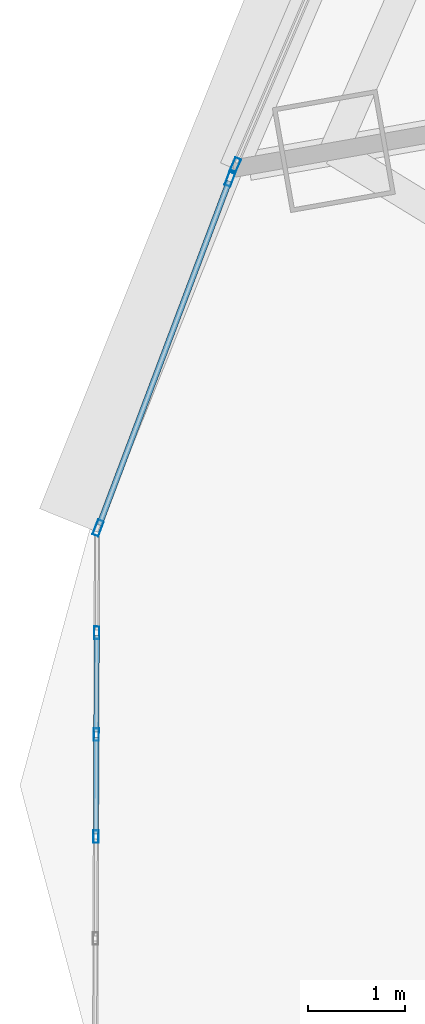
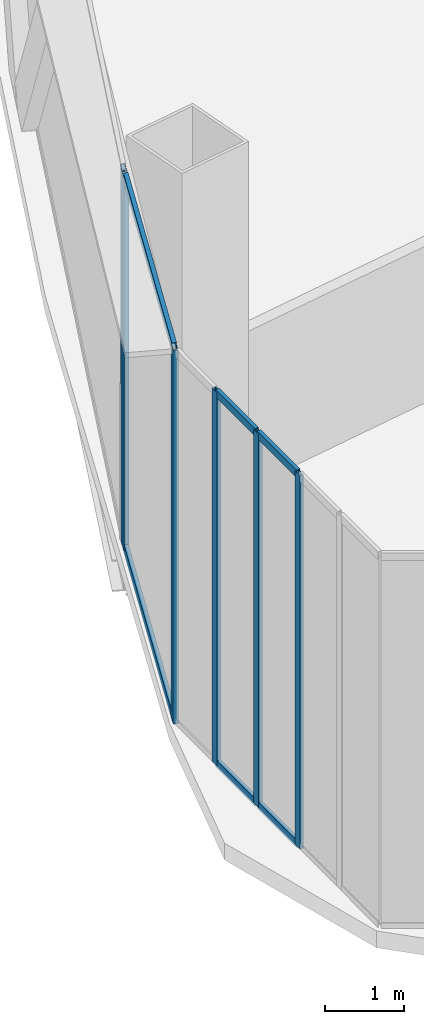
# One storey, part 4 of 41: 12 members, 3 elements without a shape of their own.
"""IFC4 building model written with IfcOpenShell, lengths in metres."""

from ifc_helpers import new_model, si_unit, direction, frame, origin, origin_2d, place, context, subcontext, project, spatial, hollow_rectangle, extrude, source, transform, mapped, material, layer, layer_set, material_profile, profile_set, type_object, element, aggregate, save


model = new_model("IFC4")

# Units and contexts
model_context = context("Model", 3, precision=1e-05, world=origin(), true_north=direction((0.0, 1.0)))
body_context = subcontext(model_context, "Body", "Model", "MODEL_VIEW")
ifc_project = project(units=[si_unit("LENGTHUNIT", "METRE"), si_unit("AREAUNIT", "SQUARE_METRE"), si_unit("VOLUMEUNIT", "CUBIC_METRE"), si_unit("PLANEANGLEUNIT", "RADIAN"), si_unit("MASSUNIT", "GRAM", prefix="KILO"), si_unit("THERMODYNAMICTEMPERATUREUNIT", "KELVIN"), si_unit("POWERUNIT", "WATT")], contexts=[model_context])

# Site, building, storey
site_placement = place(None, origin())
site = spatial("IfcSite", under=ifc_project, at=site_placement, CompositionType="ELEMENT")
building_placement = place(site_placement, origin())
building = spatial("IfcBuilding", under=site, at=building_placement, Name="Yunzhuo Pagoda Commons", CompositionType="ELEMENT")
storey_placement = place(building_placement, frame((0.0, 0.0, 70.330078125)))
storey = spatial("IfcBuildingStorey", under=building, at=storey_placement, Name="L18", CompositionType="ELEMENT", Elevation=70.330078125)

# Curtain wall, members
ifc_material = material(Name="Anodized aluminium 6063-T6", Category="aluminium")
ifc_layer_1 = layer(ifc_material, 0.1650390625)
ifc_layer_set_1 = layer_set([ifc_layer_1], Name="Anodized aluminium 6063-T6")
curtain_wall_type_1 = type_object("IfcCurtainWallType", Name="CW-LOW Low-Zone Ribbon Curtain Wall", PredefinedType="NOTDEFINED", material=ifc_layer_set_1)
curtain_wall_1_placement = place(storey_placement, origin())
curtain_wall_1 = element("IfcCurtainWall", 1, at=curtain_wall_1_placement, inside=storey, type_object=curtain_wall_type_1, Name="L18 curtain wall CW-L18-F3B5", PredefinedType="NOTDEFINED")
ifc_material_profile_1 = material_profile(ifc_material, hollow_rectangle(XDim=0.06005859375, YDim=0.139892578125, WallThickness=0.00341796875, at=origin_2d()), Name="Anodized aluminium 6063-T6")
ifc_profile_set_1 = profile_set([ifc_material_profile_1], Name="Anodized aluminium 6063-T6")
member_type_1 = type_object("IfcMemberType", Name="CW-LOW-T Transom RHS 140x60x3.5", PredefinedType="USERDEFINED", material=ifc_profile_set_1)
shared_shape_1 = source(origin(), body_context, "Body", "SweptSolid", [
    extrude(hollow_rectangle(XDim=0.06005859375, YDim=0.139892578125, WallThickness=0.00341796875, at=origin_2d()), origin(), (0.0, 0.0, 1.0), 3.80126953125),
])
member_1_placement = place(storey_placement, frame((6.869140625, 26.3251953125, 0.030029296875), z_axis=(-0.353360601845, -0.935487191288, 0.0), x_axis=(0.935487191288, -0.353360601845, 0.0)))
member_1 = element("IfcMember", 2, at=member_1_placement, type_object=member_type_1, Name="CW transom 1.1", ObjectType="TRANSOM", PredefinedType="USERDEFINED", context=body_context, shape_type="MappedRepresentation", body=[
    mapped(shared_shape_1, transform((0.0, 0.0, 0.0), scale=1.0)),
])
member_2_placement = place(storey_placement, frame((6.869140625, 26.3251953125, 5.739990234375), z_axis=(-0.353360601845, -0.935487191288, 0.0), x_axis=(0.935487191288, -0.353360601845, 0.0)))
member_2 = element("IfcMember", 3, at=member_2_placement, type_object=member_type_1, Name="CW transom 1.2", ObjectType="TRANSOM", PredefinedType="USERDEFINED", context=body_context, shape_type="MappedRepresentation", body=[
    mapped(shared_shape_1, transform((0.0, 0.0, 0.0), scale=1.0)),
])

ifc_layer_2 = layer(ifc_material, 0.1298828125)
ifc_layer_set_2 = layer_set([ifc_layer_2], Name="Anodized aluminium 6063-T6")
curtain_wall_type_2 = type_object("IfcCurtainWallType", Name="CW-VTX Rounded Corner Curtain Wall", PredefinedType="NOTDEFINED", material=ifc_layer_set_2)
curtain_wall_2_placement = place(storey_placement, origin())
curtain_wall_2 = element("IfcCurtainWall", 4, at=curtain_wall_2_placement, inside=storey, type_object=curtain_wall_type_2, Name="L18 curtain wall CW-L18-VTX1S1", PredefinedType="NOTDEFINED")
ifc_material_profile_2 = material_profile(ifc_material, hollow_rectangle(XDim=0.054931640625, YDim=0.1201171875, WallThickness=0.00341796875, at=origin_2d()), Name="Anodized aluminium 6063-T6")
ifc_profile_set_2 = profile_set([ifc_material_profile_2], Name="Anodized aluminium 6063-T6")
member_type_2 = type_object("IfcMemberType", Name="CW-VTX-T Transom RHS 120x55x3.5", PredefinedType="USERDEFINED", material=ifc_profile_set_2)
shared_shape_2 = source(origin(), body_context, "Body", "SweptSolid", [
    extrude(hollow_rectangle(XDim=0.054931640625, YDim=0.1201171875, WallThickness=0.00341796875, at=origin_2d()), origin(), (0.0, 0.0, 1.0), 0.999267578125),
])
member_3_placement = place(storey_placement, frame((5.4990234375, 21.62646484375, 0.02734375), z_axis=(-0.00366476894, -0.999993284712, 0.0), x_axis=(0.999993284712, -0.00366476894, 0.0)))
member_3 = element("IfcMember", 5, at=member_3_placement, type_object=member_type_2, Name="CW transom 2.1", ObjectType="TRANSOM", PredefinedType="USERDEFINED", context=body_context, shape_type="MappedRepresentation", body=[
    mapped(shared_shape_2, transform((0.0, 0.0, 0.0), scale=1.0)),
])
member_4_placement = place(storey_placement, frame((5.4990234375, 21.62646484375, 5.742431640625), z_axis=(-0.00366476894, -0.999993284712, 0.0), x_axis=(0.999993284712, -0.00366476894, 0.0)))
member_4 = element("IfcMember", 6, at=member_4_placement, type_object=member_type_2, Name="CW transom 2.2", ObjectType="TRANSOM", PredefinedType="USERDEFINED", context=body_context, shape_type="MappedRepresentation", body=[
    mapped(shared_shape_2, transform((0.0, 0.0, 0.0), scale=1.0)),
])
member_5_placement = place(storey_placement, frame((5.495361328125, 20.572265625, 0.02734375), z_axis=(-0.00366476894, -0.999993284712, 0.0), x_axis=(0.999993284712, -0.00366476894, 0.0)))
member_5 = element("IfcMember", 7, at=member_5_placement, type_object=member_type_2, Name="CW transom 3.1", ObjectType="TRANSOM", PredefinedType="USERDEFINED", context=body_context, shape_type="MappedRepresentation", body=[
    mapped(shared_shape_2, transform((0.0, 0.0, 0.0), scale=1.0)),
])
member_6_placement = place(storey_placement, frame((5.495361328125, 20.572265625, 5.742431640625), z_axis=(-0.00366476894, -0.999993284712, 0.0), x_axis=(0.999993284712, -0.00366476894, 0.0)))
member_6 = element("IfcMember", 8, at=member_6_placement, type_object=member_type_2, Name="CW transom 3.2", ObjectType="TRANSOM", PredefinedType="USERDEFINED", context=body_context, shape_type="MappedRepresentation", body=[
    mapped(shared_shape_2, transform((0.0, 0.0, 0.0), scale=1.0)),
])

# Curtain wall, member
curtain_wall_3_placement = place(storey_placement, origin())
curtain_wall_3 = element("IfcCurtainWall", 9, at=curtain_wall_3_placement, inside=storey, type_object=curtain_wall_type_1, Name="L18 curtain wall CW-L18-F3B4", PredefinedType="NOTDEFINED")
ifc_material_profile_3 = material_profile(ifc_material, hollow_rectangle(XDim=0.06494140625, YDim=0.1650390625, WallThickness=0.00390625, at=origin_2d()), Name="Anodized aluminium 6063-T6")
ifc_profile_set_3 = profile_set([ifc_material_profile_3], Name="Anodized aluminium 6063-T6")
member_type_3 = type_object("IfcMemberType", Name="CW-LOW-M Mullion RHS 165x65x4", PredefinedType="MULLION", material=ifc_profile_set_3)
shared_shape_3 = source(origin(), body_context, "Body", "SweptSolid", [
    extrude(hollow_rectangle(XDim=0.06494140625, YDim=0.1650390625, WallThickness=0.00390625, at=origin_2d()), origin(), (0.0, 0.0, 1.0), 5.77001953125),
])
member_7_placement = place(storey_placement, frame((6.93115234375, 26.486083984375, 0.0), z_axis=(0.0, 0.0, 1.0), x_axis=(0.919121093161, -0.39397514656, 0.0)))
member_7 = element("IfcMember", 10, at=member_7_placement, type_object=member_type_3, Name="CW mullion 2", PredefinedType="MULLION", context=body_context, shape_type="MappedRepresentation", body=[
    mapped(shared_shape_3, transform((0.0, 0.0, 0.0), scale=1.0)),
])
aggregate(curtain_wall_3, [member_7])

# Member
member_8_placement = place(storey_placement, frame((6.88037109375, 26.355712890625, 0.0), z_axis=(0.0, 0.0, 1.0), x_axis=(0.9355133863, -0.353291245367, 0.0)))
member_8 = element("IfcMember", 11, at=member_8_placement, type_object=member_type_3, Name="CW mullion 1", PredefinedType="MULLION", context=body_context, shape_type="MappedRepresentation", body=[
    mapped(shared_shape_3, transform((0.0, 0.0, 0.0), scale=1.0)),
])

member_9_placement = place(storey_placement, frame((5.514404296875, 22.738525390625, 0.0), z_axis=(0.0, 0.0, 1.0), x_axis=(0.9355133863, -0.353291245367, 0.0)))
member_9 = element("IfcMember", 12, at=member_9_placement, type_object=member_type_3, Name="CW mullion 2", PredefinedType="MULLION", context=body_context, shape_type="MappedRepresentation", body=[
    mapped(shared_shape_3, transform((0.0, 0.0, 0.0), scale=1.0)),
])

aggregate(curtain_wall_1, [member_8, member_9, member_1, member_2])

ifc_material_profile_4 = material_profile(ifc_material, hollow_rectangle(XDim=0.054931640625, YDim=0.1298828125, WallThickness=0.00341796875, at=origin_2d()), Name="Anodized aluminium 6063-T6")
ifc_profile_set_4 = profile_set([ifc_material_profile_4], Name="Anodized aluminium 6063-T6")
member_type_4 = type_object("IfcMemberType", Name="CW-VTX-M Mullion RHS 130x55x3.5", PredefinedType="MULLION", material=ifc_profile_set_4)
shared_shape_4 = source(origin(), body_context, "Body", "SweptSolid", [
    extrude(hollow_rectangle(XDim=0.054931640625, YDim=0.1298828125, WallThickness=0.00341796875, at=origin_2d()), origin(), (0.0, 0.0, 1.0), 5.77001953125),
])
member_10_placement = place(storey_placement, frame((5.4990234375, 21.654052734375, 0.0), z_axis=(0.0, 0.0, 1.0), x_axis=(0.999993571837, -0.003585566294, 0.0)))
member_10 = element("IfcMember", 13, at=member_10_placement, type_object=member_type_4, Name="CW mullion 2", PredefinedType="MULLION", context=body_context, shape_type="MappedRepresentation", body=[
    mapped(shared_shape_4, transform((0.0, 0.0, 0.0), scale=1.0)),
])

member_11_placement = place(storey_placement, frame((5.495361328125, 20.60009765625, 0.0), z_axis=(0.0, 0.0, 1.0), x_axis=(0.999993571837, -0.003585566294, 0.0)))
member_11 = element("IfcMember", 14, at=member_11_placement, type_object=member_type_4, Name="CW mullion 3", PredefinedType="MULLION", context=body_context, shape_type="MappedRepresentation", body=[
    mapped(shared_shape_4, transform((0.0, 0.0, 0.0), scale=1.0)),
])

member_12_placement = place(storey_placement, frame((5.491455078125, 19.545654296875, 0.0), z_axis=(0.0, 0.0, 1.0), x_axis=(0.999993571837, -0.003585566294, 0.0)))
member_12 = element("IfcMember", 15, at=member_12_placement, type_object=member_type_4, Name="CW mullion 4", PredefinedType="MULLION", context=body_context, shape_type="MappedRepresentation", body=[
    mapped(shared_shape_4, transform((0.0, 0.0, 0.0), scale=1.0)),
])

aggregate(curtain_wall_2, [member_10, member_11, member_12, member_3, member_4, member_5, member_6])

save(model, "model.ifc")
